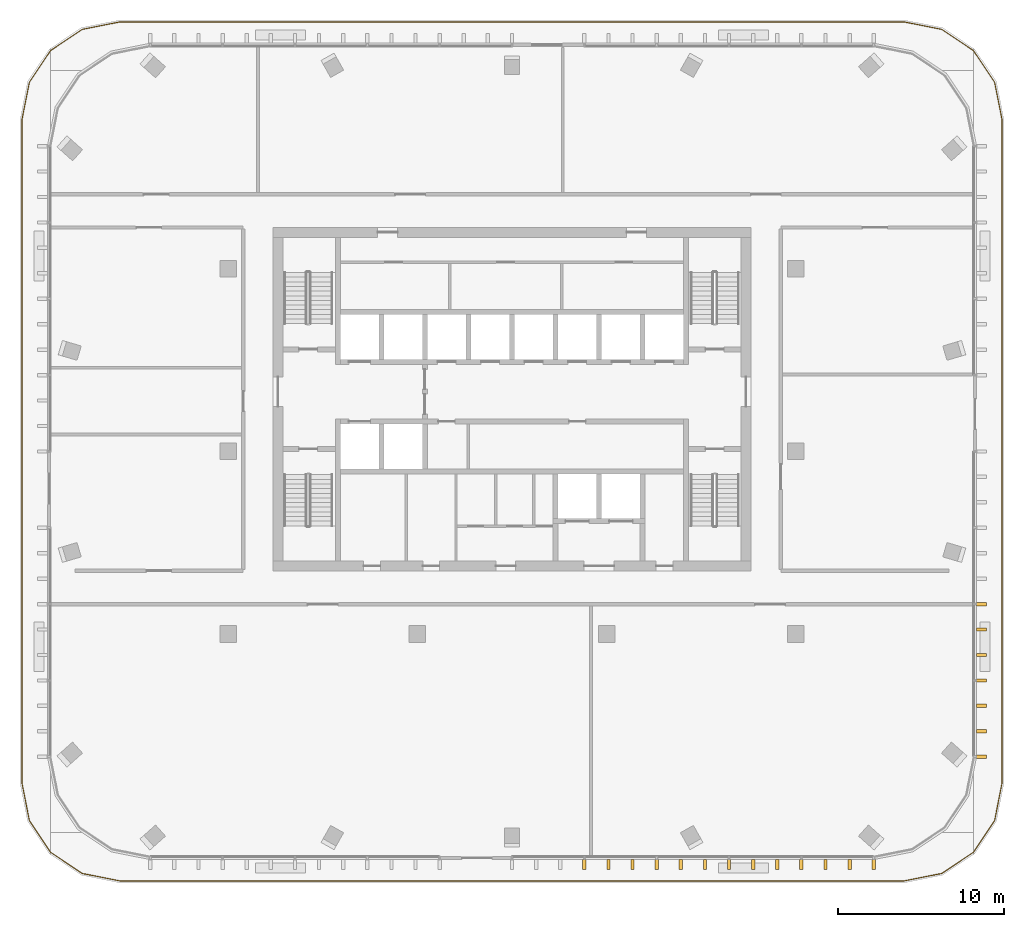
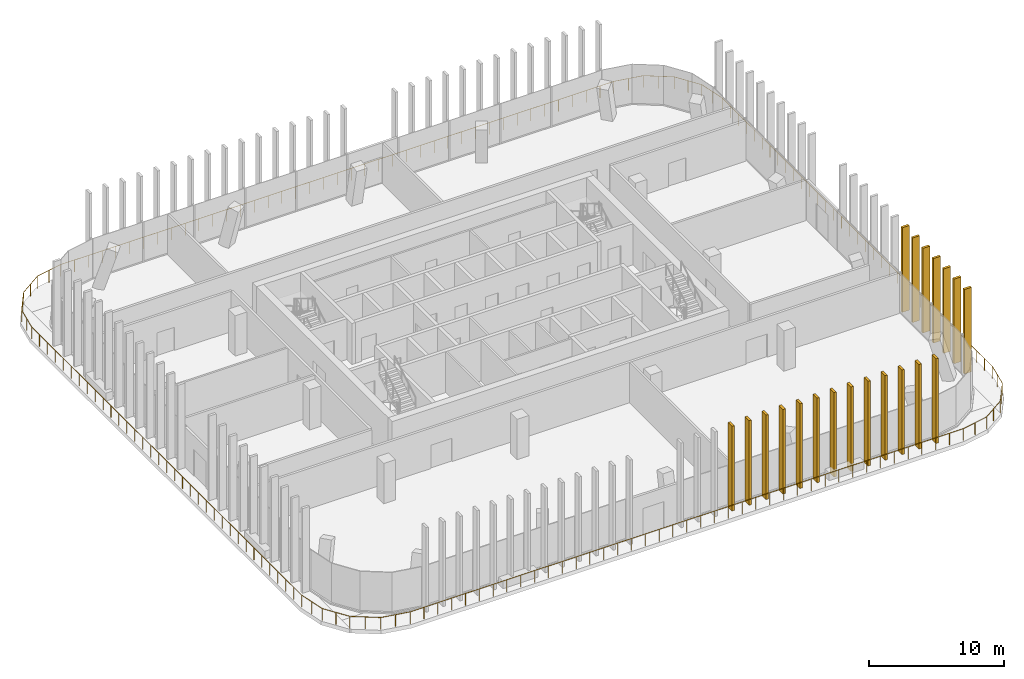
# One storey, part 13 of 16: 20 shading devices, 1 railing.
"""IFC4 building model written with IfcOpenShell, lengths in metres."""

from ifc_helpers import new_model, si_unit, direction, frame, origin, origin_2d, place, context, subcontext, project, spatial, rectangle, circle, extrude, material, type_object, element, save


model = new_model("IFC4")

# Units and contexts
model_context = context("Model", 3, precision=1e-05, world=origin(), true_north=direction((0.0, 1.0)))
body_context = subcontext(model_context, "Body", "Model", "MODEL_VIEW")
ifc_project = project(units=[si_unit("LENGTHUNIT", "METRE"), si_unit("AREAUNIT", "SQUARE_METRE"), si_unit("VOLUMEUNIT", "CUBIC_METRE"), si_unit("PLANEANGLEUNIT", "RADIAN"), si_unit("MASSUNIT", "GRAM", prefix="KILO")], contexts=[model_context])

# Site, building, storey
site_placement = place(None, origin())
site = spatial("IfcSite", under=ifc_project, at=site_placement, CompositionType="ELEMENT")
building_placement = place(site_placement, origin())
building = spatial("IfcBuilding", under=site, at=building_placement, Name="Mopane Tessera Tower", CompositionType="ELEMENT")
storey_placement = place(building_placement, frame((0.0, 0.0, 321.39990234375)))
storey = spatial("IfcBuildingStorey", under=building, at=storey_placement, Name="L70", CompositionType="ELEMENT", Elevation=321.39990234375)

# Shading devices
ifc_material_1 = material(Name="Glazed ceramic tile")
shading_device_type = type_object("IfcShadingDeviceType", Name="Ceramic tile fin 600 x 200 mm", PredefinedType="USERDEFINED", material=ifc_material_1)
for number, where, z_axis, x_axis, name in (
    (1, (4.360107421875, -24.89990234375, 0.000244140625), (0.0, 0.0, 1.0), (1.0, 0.0, 0.0), "e:fin:L70:S:6:0"),
    (2, (5.813232421875, -24.89990234375, 0.000244140625), (0.0, 0.0, 1.0), (1.0, 0.0, 0.0), "e:fin:L70:S:6:1"),
    (3, (7.2666015625, -24.89990234375, 0.000244140625), (0.0, 0.0, 1.0), (1.0, 0.0, 0.0), "e:fin:L70:S:6:2"),
    (4, (8.719970703125, -24.89990234375, 0.000244140625), (0.0, 0.0, 1.0), (1.0, 0.0, 0.0), "e:fin:L70:S:7:0"),
    (5, (10.17333984375, -24.89990234375, 0.000244140625), (0.0, 0.0, 1.0), (1.0, 0.0, 0.0), "e:fin:L70:S:7:1"),
    (6, (11.626708984375, -24.89990234375, 0.000244140625), (0.0, 0.0, 1.0), (1.0, 0.0, 0.0), "e:fin:L70:S:7:2"),
    (7, (13.080078125, -24.89990234375, 0.000244140625), (0.0, 0.0, 1.0), (1.0, 0.0, 0.0), "e:fin:L70:S:8:0"),
    (8, (14.533447265625, -24.89990234375, 0.000244140625), (0.0, 0.0, 1.0), (1.0, 0.0, 0.0), "e:fin:L70:S:8:1"),
    (9, (15.986572265625, -24.89990234375, 0.000244140625), (0.0, 0.0, 1.0), (1.0, 0.0, 0.0), "e:fin:L70:S:8:2"),
    (10, (17.43994140625, -24.89990234375, 0.000244140625), (0.0, 0.0, 1.0), (1.0, 0.0, 0.0), "e:fin:L70:S:9:0"),
    (11, (18.893310546875, -24.89990234375, 0.000244140625), (0.0, 0.0, 1.0), (1.0, 0.0, 0.0), "e:fin:L70:S:9:1"),
    (12, (20.3466796875, -24.89990234375, 0.000244140625), (0.0, 0.0, 1.0), (1.0, 0.0, 0.0), "e:fin:L70:S:9:2"),
    (13, (21.800048828125, -24.89990234375, 0.000244140625), (0.0, 0.0, 1.0), (1.0, 0.0, 0.0), "e:fin:L70:S:9:3"),
    (14, (28.300048828125, -18.39990234375, 0.000244140625), (0.0, 0.0, 1.0), (0.0, 1.0, 0.0), "e:fin:L70:E:0:0"),
    (15, (28.300048828125, -16.86669921875, 0.000244140625), (0.0, 0.0, 1.0), (0.0, 1.0, 0.0), "e:fin:L70:E:0:1"),
    (16, (28.300048828125, -15.333251953125, 0.000244140625), (0.0, 0.0, 1.0), (0.0, 1.0, 0.0), "e:fin:L70:E:0:2"),
    (17, (28.300048828125, -13.800048828125, 0.000244140625), (0.0, 0.0, 1.0), (0.0, 1.0, 0.0), "e:fin:L70:E:1:0"),
    (18, (28.300048828125, -12.2666015625, 0.000244140625), (0.0, 0.0, 1.0), (0.0, 1.0, 0.0), "e:fin:L70:E:1:1"),
    (19, (28.300048828125, -10.7333984375, 0.000244140625), (0.0, 0.0, 1.0), (0.0, 1.0, 0.0), "e:fin:L70:E:1:2"),
    (20, (28.300048828125, -9.199951171875, 0.000244140625), (0.0, 0.0, 1.0), (0.0, 1.0, 0.0), "e:fin:L70:E:2:0"),
):
    element("IfcShadingDevice", number, at=place(storey_placement, frame(where, z_axis=z_axis, x_axis=x_axis)), inside=storey, type_object=shading_device_type, Name=name, ObjectType="FIN", PredefinedType="USERDEFINED", context=body_context, shape_type="SweptSolid", body=[
        extrude(rectangle(XDim=0.199951171875, YDim=0.60009765625, at=origin_2d()), origin(), (0.0, 0.0, 1.0), 7.64990234375),
    ])

# Railing
ifc_material_2 = material(Name="Stainless steel S316", Category="steel")
railing_type = type_object("IfcRailingType", Name="Terrace guard 1100", PredefinedType="GUARDRAIL", material=ifc_material_2)
railing_placement = place(storey_placement, frame((-23.64990234375, -25.8798828125, 0.0)))
element("IfcRailing", 21, at=railing_placement, inside=storey, type_object=railing_type, Name="e:sg:L70", PredefinedType="GUARDRAIL", context=body_context, shape_type="SweptSolid", body=[
    extrude(circle(Radius=0.02392578125, at=origin_2d()), frame((0.0, 0.0, 1.076171875), z_axis=(1.0, 0.0, 0.0), x_axis=(0.0, 1.0, 0.0)), (0.0, 0.0, 1.0), 47.2998046875),
    extrude(circle(Radius=0.02392578125, at=origin_2d()), frame((47.2998046875, 0.0, 1.076171875), z_axis=(0.980792920903, 0.195051906696, 0.0), x_axis=(-0.195051906696, 0.980792920903, 0.0)), (0.0, 0.0, 1.0), 2.294189453125),
    extrude(circle(Radius=0.02392578125, at=origin_2d()), frame((49.550048828125, 0.447509765625, 1.076171875), z_axis=(0.831476881017, 0.555559354465, 0.0), x_axis=(-0.555559354465, 0.831476881017, 0.0)), (0.0, 0.0, 1.0), 2.29443359375),
    extrude(circle(Radius=0.02392578125, at=origin_2d()), frame((51.457763671875, 1.72216796875, 1.076171875), z_axis=(0.555608511679, 0.831444034045, 0.0), x_axis=(-0.831444034045, 0.555608511679, 0.0)), (0.0, 0.0, 1.0), 2.294189453125),
    extrude(circle(Radius=0.02392578125, at=origin_2d()), frame((52.732421875, 3.629638671875, 1.076171875), z_axis=(0.195051906696, 0.980792920903, 0.0), x_axis=(-0.980792920903, 0.195051906696, 0.0)), (0.0, 0.0, 1.0), 2.294189453125),
    extrude(circle(Radius=0.02392578125, at=origin_2d()), frame((53.179931640625, 5.8798828125, 1.076171875), z_axis=(0.0, 1.0, 0.0), x_axis=(-1.0, 0.0, 0.0)), (0.0, 0.0, 1.0), 40.0),
    extrude(circle(Radius=0.02392578125, at=origin_2d()), frame((53.179931640625, 45.8798828125, 1.076171875), z_axis=(-0.195051906696, 0.980792920903, 0.0), x_axis=(-0.980792920903, -0.195051906696, 0.0)), (0.0, 0.0, 1.0), 2.294189453125),
    extrude(circle(Radius=0.02392578125, at=origin_2d()), frame((52.732421875, 48.130126953125, 1.076171875), z_axis=(-0.555608511679, 0.831444034045, 0.0), x_axis=(-0.831444034045, -0.555608511679, 0.0)), (0.0, 0.0, 1.0), 2.294189453125),
    extrude(circle(Radius=0.02392578125, at=origin_2d()), frame((51.457763671875, 50.03759765625, 1.076171875), z_axis=(-0.831476881017, 0.555559354465, 0.0), x_axis=(-0.555559354465, -0.831476881017, 0.0)), (0.0, 0.0, 1.0), 2.29443359375),
    extrude(circle(Radius=0.02392578125, at=origin_2d()), frame((49.550048828125, 51.312255859375, 1.076171875), z_axis=(-0.980792920903, 0.195051906696, 0.0), x_axis=(-0.195051906696, -0.980792920903, 0.0)), (0.0, 0.0, 1.0), 2.294189453125),
    extrude(circle(Radius=0.02392578125, at=origin_2d()), frame((47.2998046875, 51.759765625, 1.076171875), z_axis=(-1.0, 0.0, 0.0), x_axis=(0.0, -1.0, 0.0)), (0.0, 0.0, 1.0), 47.2998046875),
    extrude(circle(Radius=0.02392578125, at=origin_2d()), frame((0.0, 51.759765625, 1.076171875), z_axis=(-0.980792920903, -0.195051906696, 0.0), x_axis=(0.195051906696, -0.980792920903, 0.0)), (0.0, 0.0, 1.0), 2.294189453125),
    extrude(circle(Radius=0.02392578125, at=origin_2d()), frame((-2.250244140625, 51.312255859375, 1.076171875), z_axis=(-0.831476881017, -0.555559354465, 0.0), x_axis=(0.555559354465, -0.831476881017, 0.0)), (0.0, 0.0, 1.0), 2.29443359375),
    extrude(circle(Radius=0.02392578125, at=origin_2d()), frame((-4.157958984375, 50.03759765625, 1.076171875), z_axis=(-0.555608511679, -0.831444034045, 0.0), x_axis=(0.831444034045, -0.555608511679, 0.0)), (0.0, 0.0, 1.0), 2.294189453125),
    extrude(circle(Radius=0.02392578125, at=origin_2d()), frame((-5.4326171875, 48.130126953125, 1.076171875), z_axis=(-0.195051906696, -0.980792920903, 0.0), x_axis=(0.980792920903, -0.195051906696, 0.0)), (0.0, 0.0, 1.0), 2.294189453125),
    extrude(circle(Radius=0.02392578125, at=origin_2d()), frame((-5.880126953125, 45.8798828125, 1.076171875), z_axis=(0.0, -1.0, 0.0), x_axis=(1.0, 0.0, 0.0)), (0.0, 0.0, 1.0), 40.0),
    extrude(circle(Radius=0.02392578125, at=origin_2d()), frame((-5.880126953125, 5.8798828125, 1.076171875), z_axis=(0.195051906696, -0.980792920903, 0.0), x_axis=(0.980792920903, 0.195051906696, 0.0)), (0.0, 0.0, 1.0), 2.294189453125),
    extrude(circle(Radius=0.02392578125, at=origin_2d()), frame((-5.4326171875, 3.629638671875, 1.076171875), z_axis=(0.555608511679, -0.831444034045, 0.0), x_axis=(0.831444034045, 0.555608511679, 0.0)), (0.0, 0.0, 1.0), 2.294189453125),
    extrude(circle(Radius=0.02392578125, at=origin_2d()), frame((-4.157958984375, 1.72216796875, 1.076171875), z_axis=(0.831476881017, -0.555559354465, 0.0), x_axis=(0.555559354465, 0.831476881017, 0.0)), (0.0, 0.0, 1.0), 2.29443359375),
    extrude(circle(Radius=0.02392578125, at=origin_2d()), frame((-2.250244140625, 0.447509765625, 1.076171875), z_axis=(0.980792920903, -0.195051906696, 0.0), x_axis=(0.195051906696, 0.980792920903, 0.0)), (0.0, 0.0, 1.0), 2.294189453125),
    extrude(circle(Radius=0.02099609375, at=origin_2d()), origin(), (0.0, 0.0, 1.0), 1.052001953125),
    extrude(circle(Radius=0.02099609375, at=origin_2d()), frame((1.1826171875, 0.0, 0.0)), (0.0, 0.0, 1.0), 1.052001953125),
    extrude(circle(Radius=0.02099609375, at=origin_2d()), frame((2.364990234375, 0.0, 0.0)), (0.0, 0.0, 1.0), 1.052001953125),
    extrude(circle(Radius=0.02099609375, at=origin_2d()), frame((3.54736328125, 0.0, 0.0)), (0.0, 0.0, 1.0), 1.052001953125),
    extrude(circle(Radius=0.02099609375, at=origin_2d()), frame((4.72998046875, 0.0, 0.0)), (0.0, 0.0, 1.0), 1.052001953125),
    extrude(circle(Radius=0.02099609375, at=origin_2d()), frame((5.91259765625, 0.0, 0.0)), (0.0, 0.0, 1.0), 1.052001953125),
    extrude(circle(Radius=0.02099609375, at=origin_2d()), frame((7.094970703125, 0.0, 0.0)), (0.0, 0.0, 1.0), 1.052001953125),
    extrude(circle(Radius=0.02099609375, at=origin_2d()), frame((8.27734375, 0.0, 0.0)), (0.0, 0.0, 1.0), 1.052001953125),
    extrude(circle(Radius=0.02099609375, at=origin_2d()), frame((9.4599609375, 0.0, 0.0)), (0.0, 0.0, 1.0), 1.052001953125),
    extrude(circle(Radius=0.02099609375, at=origin_2d()), frame((10.642578125, 0.0, 0.0)), (0.0, 0.0, 1.0), 1.052001953125),
    extrude(circle(Radius=0.02099609375, at=origin_2d()), frame((11.824951171875, 0.0, 0.0)), (0.0, 0.0, 1.0), 1.052001953125),
    extrude(circle(Radius=0.02099609375, at=origin_2d()), frame((13.007568359375, 0.0, 0.0)), (0.0, 0.0, 1.0), 1.052001953125),
    extrude(circle(Radius=0.02099609375, at=origin_2d()), frame((14.18994140625, 0.0, 0.0)), (0.0, 0.0, 1.0), 1.052001953125),
    extrude(circle(Radius=0.02099609375, at=origin_2d()), frame((15.37255859375, 0.0, 0.0)), (0.0, 0.0, 1.0), 1.052001953125),
    extrude(circle(Radius=0.02099609375, at=origin_2d()), frame((16.554931640625, 0.0, 0.0)), (0.0, 0.0, 1.0), 1.052001953125),
    extrude(circle(Radius=0.02099609375, at=origin_2d()), frame((17.7373046875, 0.0, 0.0)), (0.0, 0.0, 1.0), 1.052001953125),
    extrude(circle(Radius=0.02099609375, at=origin_2d()), frame((18.919921875, 0.0, 0.0)), (0.0, 0.0, 1.0), 1.052001953125),
    extrude(circle(Radius=0.02099609375, at=origin_2d()), frame((20.1025390625, 0.0, 0.0)), (0.0, 0.0, 1.0), 1.052001953125),
    extrude(circle(Radius=0.02099609375, at=origin_2d()), frame((21.284912109375, 0.0, 0.0)), (0.0, 0.0, 1.0), 1.052001953125),
    extrude(circle(Radius=0.02099609375, at=origin_2d()), frame((22.46728515625, 0.0, 0.0)), (0.0, 0.0, 1.0), 1.052001953125),
    extrude(circle(Radius=0.02099609375, at=origin_2d()), frame((23.64990234375, 0.0, 0.0)), (0.0, 0.0, 1.0), 1.052001953125),
    extrude(circle(Radius=0.02099609375, at=origin_2d()), frame((24.83251953125, 0.0, 0.0)), (0.0, 0.0, 1.0), 1.052001953125),
    extrude(circle(Radius=0.02099609375, at=origin_2d()), frame((26.014892578125, 0.0, 0.0)), (0.0, 0.0, 1.0), 1.052001953125),
    extrude(circle(Radius=0.02099609375, at=origin_2d()), frame((27.197265625, 0.0, 0.0)), (0.0, 0.0, 1.0), 1.052001953125),
    extrude(circle(Radius=0.02099609375, at=origin_2d()), frame((28.3798828125, 0.0, 0.0)), (0.0, 0.0, 1.0), 1.052001953125),
    extrude(circle(Radius=0.02099609375, at=origin_2d()), frame((29.5625, 0.0, 0.0)), (0.0, 0.0, 1.0), 1.052001953125),
    extrude(circle(Radius=0.02099609375, at=origin_2d()), frame((30.744873046875, 0.0, 0.0)), (0.0, 0.0, 1.0), 1.052001953125),
    extrude(circle(Radius=0.02099609375, at=origin_2d()), frame((31.927490234375, 0.0, 0.0)), (0.0, 0.0, 1.0), 1.052001953125),
    extrude(circle(Radius=0.02099609375, at=origin_2d()), frame((33.10986328125, 0.0, 0.0)), (0.0, 0.0, 1.0), 1.052001953125),
    extrude(circle(Radius=0.02099609375, at=origin_2d()), frame((34.29248046875, 0.0, 0.0)), (0.0, 0.0, 1.0), 1.052001953125),
    extrude(circle(Radius=0.02099609375, at=origin_2d()), frame((35.474853515625, 0.0, 0.0)), (0.0, 0.0, 1.0), 1.052001953125),
    extrude(circle(Radius=0.02099609375, at=origin_2d()), frame((36.6572265625, 0.0, 0.0)), (0.0, 0.0, 1.0), 1.052001953125),
    extrude(circle(Radius=0.02099609375, at=origin_2d()), frame((37.83984375, 0.0, 0.0)), (0.0, 0.0, 1.0), 1.052001953125),
    extrude(circle(Radius=0.02099609375, at=origin_2d()), frame((39.0224609375, 0.0, 0.0)), (0.0, 0.0, 1.0), 1.052001953125),
    extrude(circle(Radius=0.02099609375, at=origin_2d()), frame((40.204833984375, 0.0, 0.0)), (0.0, 0.0, 1.0), 1.052001953125),
    extrude(circle(Radius=0.02099609375, at=origin_2d()), frame((41.38720703125, 0.0, 0.0)), (0.0, 0.0, 1.0), 1.052001953125),
    extrude(circle(Radius=0.02099609375, at=origin_2d()), frame((42.56982421875, 0.0, 0.0)), (0.0, 0.0, 1.0), 1.052001953125),
    extrude(circle(Radius=0.02099609375, at=origin_2d()), frame((43.75244140625, 0.0, 0.0)), (0.0, 0.0, 1.0), 1.052001953125),
    extrude(circle(Radius=0.02099609375, at=origin_2d()), frame((44.934814453125, 0.0, 0.0)), (0.0, 0.0, 1.0), 1.052001953125),
    extrude(circle(Radius=0.02099609375, at=origin_2d()), frame((46.1171875, 0.0, 0.0)), (0.0, 0.0, 1.0), 1.052001953125),
    extrude(circle(Radius=0.02099609375, at=origin_2d()), frame((47.2998046875, 0.0, 0.0)), (0.0, 0.0, 1.0), 1.052001953125),
    extrude(circle(Radius=0.02099609375, at=origin_2d()), frame((48.4248046875, 0.2236328125, 0.0)), (0.0, 0.0, 1.0), 1.052001953125),
    extrude(circle(Radius=0.02099609375, at=origin_2d()), frame((49.550048828125, 0.447509765625, 0.0)), (0.0, 0.0, 1.0), 1.052001953125),
    extrude(circle(Radius=0.02099609375, at=origin_2d()), frame((50.50390625, 1.0849609375, 0.0)), (0.0, 0.0, 1.0), 1.052001953125),
    extrude(circle(Radius=0.02099609375, at=origin_2d()), frame((51.457763671875, 1.72216796875, 0.0)), (0.0, 0.0, 1.0), 1.052001953125),
    extrude(circle(Radius=0.02099609375, at=origin_2d()), frame((52.09521484375, 2.67578125, 0.0)), (0.0, 0.0, 1.0), 1.052001953125),
    extrude(circle(Radius=0.02099609375, at=origin_2d()), frame((52.732421875, 3.629638671875, 0.0)), (0.0, 0.0, 1.0), 1.052001953125),
    extrude(circle(Radius=0.02099609375, at=origin_2d()), frame((52.9560546875, 4.7548828125, 0.0)), (0.0, 0.0, 1.0), 1.052001953125),
    extrude(circle(Radius=0.02099609375, at=origin_2d()), frame((53.179931640625, 5.8798828125, 0.0)), (0.0, 0.0, 1.0), 1.052001953125),
    extrude(circle(Radius=0.02099609375, at=origin_2d()), frame((53.179931640625, 7.056396484375, 0.0)), (0.0, 0.0, 1.0), 1.052001953125),
    extrude(circle(Radius=0.02099609375, at=origin_2d()), frame((53.179931640625, 8.23291015625, 0.0)), (0.0, 0.0, 1.0), 1.052001953125),
    extrude(circle(Radius=0.02099609375, at=origin_2d()), frame((53.179931640625, 9.4091796875, 0.0)), (0.0, 0.0, 1.0), 1.052001953125),
    extrude(circle(Radius=0.02099609375, at=origin_2d()), frame((53.179931640625, 10.585693359375, 0.0)), (0.0, 0.0, 1.0), 1.052001953125),
    extrude(circle(Radius=0.02099609375, at=origin_2d()), frame((53.179931640625, 11.76220703125, 0.0)), (0.0, 0.0, 1.0), 1.052001953125),
    extrude(circle(Radius=0.02099609375, at=origin_2d()), frame((53.179931640625, 12.938720703125, 0.0)), (0.0, 0.0, 1.0), 1.052001953125),
    extrude(circle(Radius=0.02099609375, at=origin_2d()), frame((53.179931640625, 14.115234375, 0.0)), (0.0, 0.0, 1.0), 1.052001953125),
    extrude(circle(Radius=0.02099609375, at=origin_2d()), frame((53.179931640625, 15.291748046875, 0.0)), (0.0, 0.0, 1.0), 1.052001953125),
    extrude(circle(Radius=0.02099609375, at=origin_2d()), frame((53.179931640625, 16.468017578125, 0.0)), (0.0, 0.0, 1.0), 1.052001953125),
    extrude(circle(Radius=0.02099609375, at=origin_2d()), frame((53.179931640625, 17.64453125, 0.0)), (0.0, 0.0, 1.0), 1.052001953125),
    extrude(circle(Radius=0.02099609375, at=origin_2d()), frame((53.179931640625, 18.821044921875, 0.0)), (0.0, 0.0, 1.0), 1.052001953125),
    extrude(circle(Radius=0.02099609375, at=origin_2d()), frame((53.179931640625, 19.99755859375, 0.0)), (0.0, 0.0, 1.0), 1.052001953125),
    extrude(circle(Radius=0.02099609375, at=origin_2d()), frame((53.179931640625, 21.174072265625, 0.0)), (0.0, 0.0, 1.0), 1.052001953125),
    extrude(circle(Radius=0.02099609375, at=origin_2d()), frame((53.179931640625, 22.3505859375, 0.0)), (0.0, 0.0, 1.0), 1.052001953125),
    extrude(circle(Radius=0.02099609375, at=origin_2d()), frame((53.179931640625, 23.52685546875, 0.0)), (0.0, 0.0, 1.0), 1.052001953125),
    extrude(circle(Radius=0.02099609375, at=origin_2d()), frame((53.179931640625, 24.703369140625, 0.0)), (0.0, 0.0, 1.0), 1.052001953125),
    extrude(circle(Radius=0.02099609375, at=origin_2d()), frame((53.179931640625, 25.8798828125, 0.0)), (0.0, 0.0, 1.0), 1.052001953125),
    extrude(circle(Radius=0.02099609375, at=origin_2d()), frame((53.179931640625, 27.056396484375, 0.0)), (0.0, 0.0, 1.0), 1.052001953125),
    extrude(circle(Radius=0.02099609375, at=origin_2d()), frame((53.179931640625, 28.23291015625, 0.0)), (0.0, 0.0, 1.0), 1.052001953125),
    extrude(circle(Radius=0.02099609375, at=origin_2d()), frame((53.179931640625, 29.4091796875, 0.0)), (0.0, 0.0, 1.0), 1.052001953125),
    extrude(circle(Radius=0.02099609375, at=origin_2d()), frame((53.179931640625, 30.585693359375, 0.0)), (0.0, 0.0, 1.0), 1.052001953125),
    extrude(circle(Radius=0.02099609375, at=origin_2d()), frame((53.179931640625, 31.76220703125, 0.0)), (0.0, 0.0, 1.0), 1.052001953125),
    extrude(circle(Radius=0.02099609375, at=origin_2d()), frame((53.179931640625, 32.938720703125, 0.0)), (0.0, 0.0, 1.0), 1.052001953125),
    extrude(circle(Radius=0.02099609375, at=origin_2d()), frame((53.179931640625, 34.115234375, 0.0)), (0.0, 0.0, 1.0), 1.052001953125),
    extrude(circle(Radius=0.02099609375, at=origin_2d()), frame((53.179931640625, 35.291748046875, 0.0)), (0.0, 0.0, 1.0), 1.052001953125),
    extrude(circle(Radius=0.02099609375, at=origin_2d()), frame((53.179931640625, 36.468017578125, 0.0)), (0.0, 0.0, 1.0), 1.052001953125),
    extrude(circle(Radius=0.02099609375, at=origin_2d()), frame((53.179931640625, 37.64453125, 0.0)), (0.0, 0.0, 1.0), 1.052001953125),
    extrude(circle(Radius=0.02099609375, at=origin_2d()), frame((53.179931640625, 38.821044921875, 0.0)), (0.0, 0.0, 1.0), 1.052001953125),
    extrude(circle(Radius=0.02099609375, at=origin_2d()), frame((53.179931640625, 39.99755859375, 0.0)), (0.0, 0.0, 1.0), 1.052001953125),
    extrude(circle(Radius=0.02099609375, at=origin_2d()), frame((53.179931640625, 41.174072265625, 0.0)), (0.0, 0.0, 1.0), 1.052001953125),
    extrude(circle(Radius=0.02099609375, at=origin_2d()), frame((53.179931640625, 42.3505859375, 0.0)), (0.0, 0.0, 1.0), 1.052001953125),
    extrude(circle(Radius=0.02099609375, at=origin_2d()), frame((53.179931640625, 43.52685546875, 0.0)), (0.0, 0.0, 1.0), 1.052001953125),
    extrude(circle(Radius=0.02099609375, at=origin_2d()), frame((53.179931640625, 44.703369140625, 0.0)), (0.0, 0.0, 1.0), 1.052001953125),
    extrude(circle(Radius=0.02099609375, at=origin_2d()), frame((53.179931640625, 45.8798828125, 0.0)), (0.0, 0.0, 1.0), 1.052001953125),
    extrude(circle(Radius=0.02099609375, at=origin_2d()), frame((52.9560546875, 47.0048828125, 0.0)), (0.0, 0.0, 1.0), 1.052001953125),
    extrude(circle(Radius=0.02099609375, at=origin_2d()), frame((52.732421875, 48.130126953125, 0.0)), (0.0, 0.0, 1.0), 1.052001953125),
    extrude(circle(Radius=0.02099609375, at=origin_2d()), frame((52.09521484375, 49.083984375, 0.0)), (0.0, 0.0, 1.0), 1.052001953125),
    extrude(circle(Radius=0.02099609375, at=origin_2d()), frame((51.457763671875, 50.03759765625, 0.0)), (0.0, 0.0, 1.0), 1.052001953125),
    extrude(circle(Radius=0.02099609375, at=origin_2d()), frame((50.50390625, 50.6748046875, 0.0)), (0.0, 0.0, 1.0), 1.052001953125),
    extrude(circle(Radius=0.02099609375, at=origin_2d()), frame((49.550048828125, 51.312255859375, 0.0)), (0.0, 0.0, 1.0), 1.052001953125),
    extrude(circle(Radius=0.02099609375, at=origin_2d()), frame((48.4248046875, 51.5361328125, 0.0)), (0.0, 0.0, 1.0), 1.052001953125),
    extrude(circle(Radius=0.02099609375, at=origin_2d()), frame((47.2998046875, 51.759765625, 0.0)), (0.0, 0.0, 1.0), 1.052001953125),
    extrude(circle(Radius=0.02099609375, at=origin_2d()), frame((46.1171875, 51.759765625, 0.0)), (0.0, 0.0, 1.0), 1.052001953125),
    extrude(circle(Radius=0.02099609375, at=origin_2d()), frame((44.934814453125, 51.759765625, 0.0)), (0.0, 0.0, 1.0), 1.052001953125),
    extrude(circle(Radius=0.02099609375, at=origin_2d()), frame((43.75244140625, 51.759765625, 0.0)), (0.0, 0.0, 1.0), 1.052001953125),
    extrude(circle(Radius=0.02099609375, at=origin_2d()), frame((42.56982421875, 51.759765625, 0.0)), (0.0, 0.0, 1.0), 1.052001953125),
    extrude(circle(Radius=0.02099609375, at=origin_2d()), frame((41.38720703125, 51.759765625, 0.0)), (0.0, 0.0, 1.0), 1.052001953125),
    extrude(circle(Radius=0.02099609375, at=origin_2d()), frame((40.204833984375, 51.759765625, 0.0)), (0.0, 0.0, 1.0), 1.052001953125),
    extrude(circle(Radius=0.02099609375, at=origin_2d()), frame((39.0224609375, 51.759765625, 0.0)), (0.0, 0.0, 1.0), 1.052001953125),
    extrude(circle(Radius=0.02099609375, at=origin_2d()), frame((37.83984375, 51.759765625, 0.0)), (0.0, 0.0, 1.0), 1.052001953125),
    extrude(circle(Radius=0.02099609375, at=origin_2d()), frame((36.6572265625, 51.759765625, 0.0)), (0.0, 0.0, 1.0), 1.052001953125),
    extrude(circle(Radius=0.02099609375, at=origin_2d()), frame((35.474853515625, 51.759765625, 0.0)), (0.0, 0.0, 1.0), 1.052001953125),
    extrude(circle(Radius=0.02099609375, at=origin_2d()), frame((34.29248046875, 51.759765625, 0.0)), (0.0, 0.0, 1.0), 1.052001953125),
    extrude(circle(Radius=0.02099609375, at=origin_2d()), frame((33.10986328125, 51.759765625, 0.0)), (0.0, 0.0, 1.0), 1.052001953125),
    extrude(circle(Radius=0.02099609375, at=origin_2d()), frame((31.92724609375, 51.759765625, 0.0)), (0.0, 0.0, 1.0), 1.052001953125),
    extrude(circle(Radius=0.02099609375, at=origin_2d()), frame((30.744873046875, 51.759765625, 0.0)), (0.0, 0.0, 1.0), 1.052001953125),
    extrude(circle(Radius=0.02099609375, at=origin_2d()), frame((29.5625, 51.759765625, 0.0)), (0.0, 0.0, 1.0), 1.052001953125),
    extrude(circle(Radius=0.02099609375, at=origin_2d()), frame((28.3798828125, 51.759765625, 0.0)), (0.0, 0.0, 1.0), 1.052001953125),
    extrude(circle(Radius=0.02099609375, at=origin_2d()), frame((27.197265625, 51.759765625, 0.0)), (0.0, 0.0, 1.0), 1.052001953125),
    extrude(circle(Radius=0.02099609375, at=origin_2d()), frame((26.014892578125, 51.759765625, 0.0)), (0.0, 0.0, 1.0), 1.052001953125),
    extrude(circle(Radius=0.02099609375, at=origin_2d()), frame((24.83251953125, 51.759765625, 0.0)), (0.0, 0.0, 1.0), 1.052001953125),
    extrude(circle(Radius=0.02099609375, at=origin_2d()), frame((23.64990234375, 51.759765625, 0.0)), (0.0, 0.0, 1.0), 1.052001953125),
    extrude(circle(Radius=0.02099609375, at=origin_2d()), frame((22.46728515625, 51.759765625, 0.0)), (0.0, 0.0, 1.0), 1.052001953125),
    extrude(circle(Radius=0.02099609375, at=origin_2d()), frame((21.284912109375, 51.759765625, 0.0)), (0.0, 0.0, 1.0), 1.052001953125),
    extrude(circle(Radius=0.02099609375, at=origin_2d()), frame((20.1025390625, 51.759765625, 0.0)), (0.0, 0.0, 1.0), 1.052001953125),
    extrude(circle(Radius=0.02099609375, at=origin_2d()), frame((18.919921875, 51.759765625, 0.0)), (0.0, 0.0, 1.0), 1.052001953125),
    extrude(circle(Radius=0.02099609375, at=origin_2d()), frame((17.7373046875, 51.759765625, 0.0)), (0.0, 0.0, 1.0), 1.052001953125),
    extrude(circle(Radius=0.02099609375, at=origin_2d()), frame((16.554931640625, 51.759765625, 0.0)), (0.0, 0.0, 1.0), 1.052001953125),
    extrude(circle(Radius=0.02099609375, at=origin_2d()), frame((15.372314453125, 51.759765625, 0.0)), (0.0, 0.0, 1.0), 1.052001953125),
    extrude(circle(Radius=0.02099609375, at=origin_2d()), frame((14.18994140625, 51.759765625, 0.0)), (0.0, 0.0, 1.0), 1.052001953125),
    extrude(circle(Radius=0.02099609375, at=origin_2d()), frame((13.00732421875, 51.759765625, 0.0)), (0.0, 0.0, 1.0), 1.052001953125),
    extrude(circle(Radius=0.02099609375, at=origin_2d()), frame((11.824951171875, 51.759765625, 0.0)), (0.0, 0.0, 1.0), 1.052001953125),
    extrude(circle(Radius=0.02099609375, at=origin_2d()), frame((10.642578125, 51.759765625, 0.0)), (0.0, 0.0, 1.0), 1.052001953125),
    extrude(circle(Radius=0.02099609375, at=origin_2d()), frame((9.4599609375, 51.759765625, 0.0)), (0.0, 0.0, 1.0), 1.052001953125),
    extrude(circle(Radius=0.02099609375, at=origin_2d()), frame((8.27734375, 51.759765625, 0.0)), (0.0, 0.0, 1.0), 1.052001953125),
    extrude(circle(Radius=0.02099609375, at=origin_2d()), frame((7.094970703125, 51.759765625, 0.0)), (0.0, 0.0, 1.0), 1.052001953125),
    extrude(circle(Radius=0.02099609375, at=origin_2d()), frame((5.91259765625, 51.759765625, 0.0)), (0.0, 0.0, 1.0), 1.052001953125),
    extrude(circle(Radius=0.02099609375, at=origin_2d()), frame((4.72998046875, 51.759765625, 0.0)), (0.0, 0.0, 1.0), 1.052001953125),
    extrude(circle(Radius=0.02099609375, at=origin_2d()), frame((3.54736328125, 51.759765625, 0.0)), (0.0, 0.0, 1.0), 1.052001953125),
    extrude(circle(Radius=0.02099609375, at=origin_2d()), frame((2.364990234375, 51.759765625, 0.0)), (0.0, 0.0, 1.0), 1.052001953125),
    extrude(circle(Radius=0.02099609375, at=origin_2d()), frame((1.1826171875, 51.759765625, 0.0)), (0.0, 0.0, 1.0), 1.052001953125),
    extrude(circle(Radius=0.02099609375, at=origin_2d()), frame((0.0, 51.759765625, 0.0)), (0.0, 0.0, 1.0), 1.052001953125),
    extrude(circle(Radius=0.02099609375, at=origin_2d()), frame((-1.125, 51.5361328125, 0.0)), (0.0, 0.0, 1.0), 1.052001953125),
    extrude(circle(Radius=0.02099609375, at=origin_2d()), frame((-2.250244140625, 51.312255859375, 0.0)), (0.0, 0.0, 1.0), 1.052001953125),
    extrude(circle(Radius=0.02099609375, at=origin_2d()), frame((-3.2041015625, 50.6748046875, 0.0)), (0.0, 0.0, 1.0), 1.052001953125),
    extrude(circle(Radius=0.02099609375, at=origin_2d()), frame((-4.157958984375, 50.03759765625, 0.0)), (0.0, 0.0, 1.0), 1.052001953125),
    extrude(circle(Radius=0.02099609375, at=origin_2d()), frame((-4.79541015625, 49.083984375, 0.0)), (0.0, 0.0, 1.0), 1.052001953125),
    extrude(circle(Radius=0.02099609375, at=origin_2d()), frame((-5.4326171875, 48.130126953125, 0.0)), (0.0, 0.0, 1.0), 1.052001953125),
    extrude(circle(Radius=0.02099609375, at=origin_2d()), frame((-5.65625, 47.0048828125, 0.0)), (0.0, 0.0, 1.0), 1.052001953125),
    extrude(circle(Radius=0.02099609375, at=origin_2d()), frame((-5.880126953125, 45.8798828125, 0.0)), (0.0, 0.0, 1.0), 1.052001953125),
    extrude(circle(Radius=0.02099609375, at=origin_2d()), frame((-5.880126953125, 44.703369140625, 0.0)), (0.0, 0.0, 1.0), 1.052001953125),
    extrude(circle(Radius=0.02099609375, at=origin_2d()), frame((-5.880126953125, 43.52685546875, 0.0)), (0.0, 0.0, 1.0), 1.052001953125),
    extrude(circle(Radius=0.02099609375, at=origin_2d()), frame((-5.880126953125, 42.3505859375, 0.0)), (0.0, 0.0, 1.0), 1.052001953125),
    extrude(circle(Radius=0.02099609375, at=origin_2d()), frame((-5.880126953125, 41.174072265625, 0.0)), (0.0, 0.0, 1.0), 1.052001953125),
    extrude(circle(Radius=0.02099609375, at=origin_2d()), frame((-5.880126953125, 39.99755859375, 0.0)), (0.0, 0.0, 1.0), 1.052001953125),
    extrude(circle(Radius=0.02099609375, at=origin_2d()), frame((-5.880126953125, 38.821044921875, 0.0)), (0.0, 0.0, 1.0), 1.052001953125),
    extrude(circle(Radius=0.02099609375, at=origin_2d()), frame((-5.880126953125, 37.64453125, 0.0)), (0.0, 0.0, 1.0), 1.052001953125),
    extrude(circle(Radius=0.02099609375, at=origin_2d()), frame((-5.880126953125, 36.468017578125, 0.0)), (0.0, 0.0, 1.0), 1.052001953125),
    extrude(circle(Radius=0.02099609375, at=origin_2d()), frame((-5.880126953125, 35.291748046875, 0.0)), (0.0, 0.0, 1.0), 1.052001953125),
    extrude(circle(Radius=0.02099609375, at=origin_2d()), frame((-5.880126953125, 34.115234375, 0.0)), (0.0, 0.0, 1.0), 1.052001953125),
    extrude(circle(Radius=0.02099609375, at=origin_2d()), frame((-5.880126953125, 32.938720703125, 0.0)), (0.0, 0.0, 1.0), 1.052001953125),
    extrude(circle(Radius=0.02099609375, at=origin_2d()), frame((-5.880126953125, 31.76220703125, 0.0)), (0.0, 0.0, 1.0), 1.052001953125),
    extrude(circle(Radius=0.02099609375, at=origin_2d()), frame((-5.880126953125, 30.585693359375, 0.0)), (0.0, 0.0, 1.0), 1.052001953125),
    extrude(circle(Radius=0.02099609375, at=origin_2d()), frame((-5.880126953125, 29.4091796875, 0.0)), (0.0, 0.0, 1.0), 1.052001953125),
    extrude(circle(Radius=0.02099609375, at=origin_2d()), frame((-5.880126953125, 28.23291015625, 0.0)), (0.0, 0.0, 1.0), 1.052001953125),
    extrude(circle(Radius=0.02099609375, at=origin_2d()), frame((-5.880126953125, 27.056396484375, 0.0)), (0.0, 0.0, 1.0), 1.052001953125),
    extrude(circle(Radius=0.02099609375, at=origin_2d()), frame((-5.880126953125, 25.8798828125, 0.0)), (0.0, 0.0, 1.0), 1.052001953125),
    extrude(circle(Radius=0.02099609375, at=origin_2d()), frame((-5.880126953125, 24.703369140625, 0.0)), (0.0, 0.0, 1.0), 1.052001953125),
    extrude(circle(Radius=0.02099609375, at=origin_2d()), frame((-5.880126953125, 23.52685546875, 0.0)), (0.0, 0.0, 1.0), 1.052001953125),
    extrude(circle(Radius=0.02099609375, at=origin_2d()), frame((-5.880126953125, 22.3505859375, 0.0)), (0.0, 0.0, 1.0), 1.052001953125),
    extrude(circle(Radius=0.02099609375, at=origin_2d()), frame((-5.880126953125, 21.174072265625, 0.0)), (0.0, 0.0, 1.0), 1.052001953125),
    extrude(circle(Radius=0.02099609375, at=origin_2d()), frame((-5.880126953125, 19.99755859375, 0.0)), (0.0, 0.0, 1.0), 1.052001953125),
    extrude(circle(Radius=0.02099609375, at=origin_2d()), frame((-5.880126953125, 18.821044921875, 0.0)), (0.0, 0.0, 1.0), 1.052001953125),
    extrude(circle(Radius=0.02099609375, at=origin_2d()), frame((-5.880126953125, 17.64453125, 0.0)), (0.0, 0.0, 1.0), 1.052001953125),
    extrude(circle(Radius=0.02099609375, at=origin_2d()), frame((-5.880126953125, 16.468017578125, 0.0)), (0.0, 0.0, 1.0), 1.052001953125),
    extrude(circle(Radius=0.02099609375, at=origin_2d()), frame((-5.880126953125, 15.291748046875, 0.0)), (0.0, 0.0, 1.0), 1.052001953125),
    extrude(circle(Radius=0.02099609375, at=origin_2d()), frame((-5.880126953125, 14.115234375, 0.0)), (0.0, 0.0, 1.0), 1.052001953125),
    extrude(circle(Radius=0.02099609375, at=origin_2d()), frame((-5.880126953125, 12.938720703125, 0.0)), (0.0, 0.0, 1.0), 1.052001953125),
    extrude(circle(Radius=0.02099609375, at=origin_2d()), frame((-5.880126953125, 11.76220703125, 0.0)), (0.0, 0.0, 1.0), 1.052001953125),
    extrude(circle(Radius=0.02099609375, at=origin_2d()), frame((-5.880126953125, 10.585693359375, 0.0)), (0.0, 0.0, 1.0), 1.052001953125),
    extrude(circle(Radius=0.02099609375, at=origin_2d()), frame((-5.880126953125, 9.4091796875, 0.0)), (0.0, 0.0, 1.0), 1.052001953125),
    extrude(circle(Radius=0.02099609375, at=origin_2d()), frame((-5.880126953125, 8.23291015625, 0.0)), (0.0, 0.0, 1.0), 1.052001953125),
    extrude(circle(Radius=0.02099609375, at=origin_2d()), frame((-5.880126953125, 7.056396484375, 0.0)), (0.0, 0.0, 1.0), 1.052001953125),
    extrude(circle(Radius=0.02099609375, at=origin_2d()), frame((-5.880126953125, 5.8798828125, 0.0)), (0.0, 0.0, 1.0), 1.052001953125),
    extrude(circle(Radius=0.02099609375, at=origin_2d()), frame((-5.65625, 4.7548828125, 0.0)), (0.0, 0.0, 1.0), 1.052001953125),
    extrude(circle(Radius=0.02099609375, at=origin_2d()), frame((-5.4326171875, 3.629638671875, 0.0)), (0.0, 0.0, 1.0), 1.052001953125),
    extrude(circle(Radius=0.02099609375, at=origin_2d()), frame((-4.79541015625, 2.67578125, 0.0)), (0.0, 0.0, 1.0), 1.052001953125),
    extrude(circle(Radius=0.02099609375, at=origin_2d()), frame((-4.157958984375, 1.72216796875, 0.0)), (0.0, 0.0, 1.0), 1.052001953125),
    extrude(circle(Radius=0.02099609375, at=origin_2d()), frame((-3.2041015625, 1.0849609375, 0.0)), (0.0, 0.0, 1.0), 1.052001953125),
    extrude(circle(Radius=0.02099609375, at=origin_2d()), frame((-2.250244140625, 0.447509765625, 0.0)), (0.0, 0.0, 1.0), 1.052001953125),
    extrude(circle(Radius=0.02099609375, at=origin_2d()), frame((-1.125, 0.2236328125, 0.0)), (0.0, 0.0, 1.0), 1.052001953125),
])

save(model, "model.ifc")
